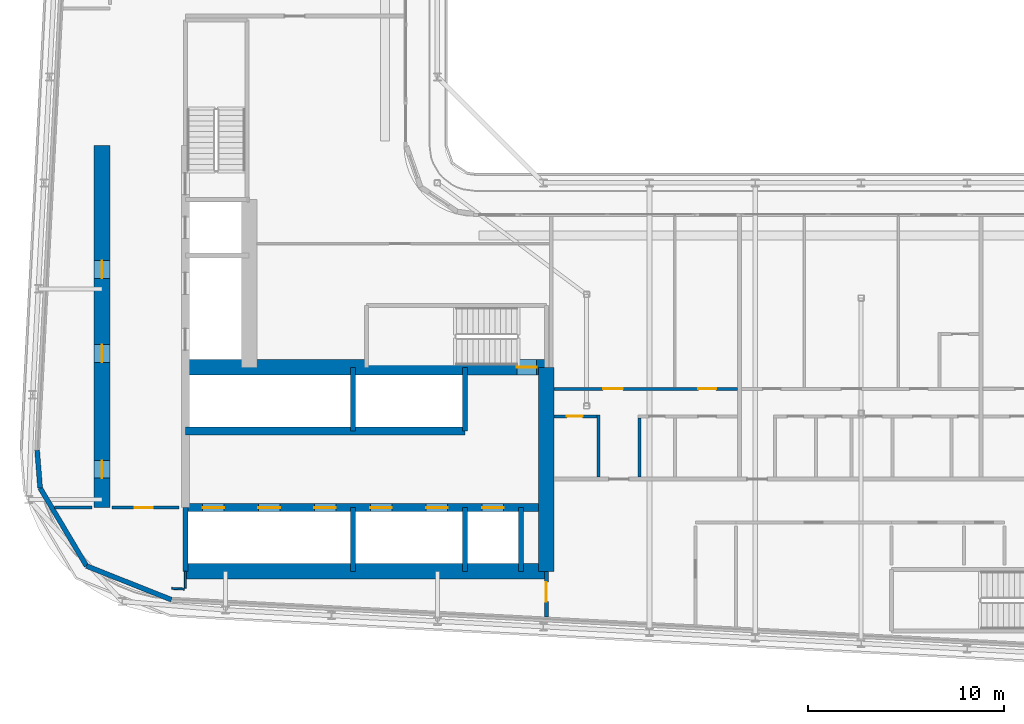
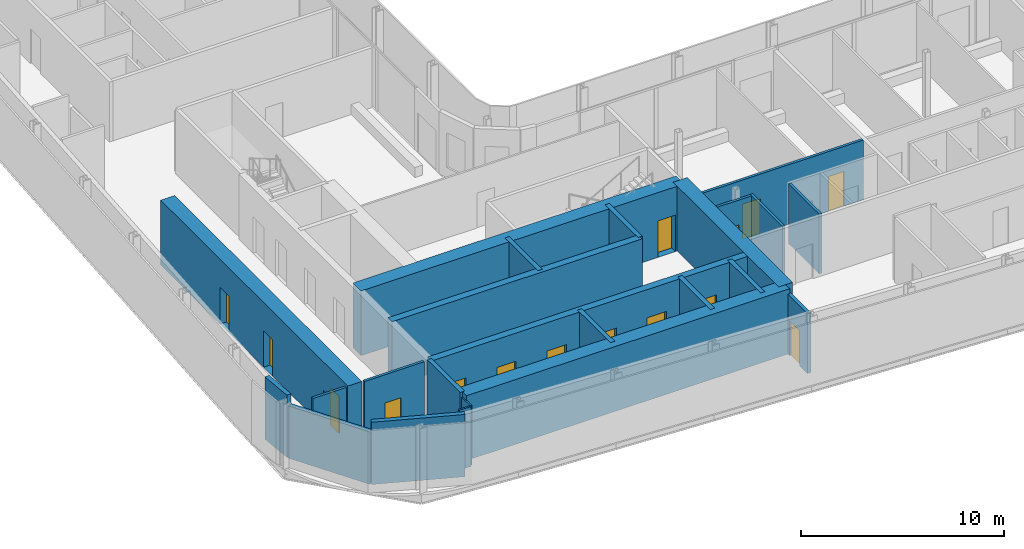
# One storey, part 14 of 29: 24 walls, 15 doors, 15 openings.
"""IFC4 building model written with IfcOpenShell, lengths in metres."""

from ifc_helpers import new_model, si_unit, direction, frame, frame_2d, origin, place, context, subcontext, project, spatial, rectangle, extrude, source, transform, mapped, material, layer, layer_set, type_object, element, fill, save


model = new_model("IFC4")

# Units and contexts
model_context = context("Model", 3, precision=1e-05, world=origin(), true_north=direction((0.0, 1.0)))
body_context = subcontext(model_context, "Body", "Model", "MODEL_VIEW")
ifc_project = project(units=[si_unit("LENGTHUNIT", "METRE"), si_unit("AREAUNIT", "SQUARE_METRE"), si_unit("VOLUMEUNIT", "CUBIC_METRE"), si_unit("PLANEANGLEUNIT", "RADIAN"), si_unit("MASSUNIT", "GRAM", prefix="KILO")], contexts=[model_context])

# Site, building, storey
site_placement = place(None, origin())
site = spatial("IfcSite", under=ifc_project, at=site_placement, CompositionType="ELEMENT")
building_placement = place(site_placement, origin())
building = spatial("IfcBuilding", under=site, at=building_placement, Name="Kheshtan School and Residences Tower", CompositionType="ELEMENT")
storey_placement = place(building_placement, frame((0.0, 0.0, 168.199951171875)))
storey = spatial("IfcBuildingStorey", under=building, at=storey_placement, Name="L39", CompositionType="ELEMENT", Elevation=168.199951171875)

# Wall, openings, doors
ifc_material_1 = material(Name="Concrete C50/60", Category="concrete")
ifc_layer_1 = layer(ifc_material_1, 0.39990234375)
ifc_layer_set_1 = layer_set([ifc_layer_1], Name="Core wall 400 Concrete C50/60")
wall_type_1 = type_object("IfcWallType", Name="Core wall 400 Concrete C50/60", PredefinedType="SHEAR", material=ifc_layer_set_1)
wall_1_placement = place(storey_placement, frame((34.75, 29.050048828125, 0.0), z_axis=(0.0, 0.0, 1.0), x_axis=(1.0, 0.0, 0.0)))
wall_1 = element("IfcWall", 1, at=wall_1_placement, inside=storey, type_object=wall_type_1, Name="Core wall CW-HALL-S1", PredefinedType="SHEAR", context=body_context, shape_type="SweptSolid", body=[
    extrude(rectangle(XDim=18.39990234375, YDim=0.39990234375, at=frame_2d((9.199951171875, 0.0))), origin(), (0.0, 0.0, 1.0), 3.900146484375),
])
opening_1_placement = place(wall_1_placement, frame((0.875, 0.0, 0.0)))
opening_1 = element("IfcOpeningElement", 2, at=opening_1_placement, cuts=wall_1, Name="Opening LD", PredefinedType="OPENING", context=body_context, shape_type="SweptSolid", body=[
    extrude(rectangle(XDim=1.10009765625, YDim=2.199951171875, at=frame_2d((0.550048828125, 1.10009765625))), frame((0.0, 0.2099609375, 0.0), z_axis=(0.0, -1.0, 0.0), x_axis=(1.0, 0.0, 0.0)), (0.0, 0.0, 1.0), 0.419921875),
])
opening_2_placement = place(wall_1_placement, frame((3.72509765625, 0.0, 0.0)))
opening_2 = element("IfcOpeningElement", 3, at=opening_2_placement, cuts=wall_1, Name="Opening LD", PredefinedType="OPENING", context=body_context, shape_type="SweptSolid", body=[
    extrude(rectangle(XDim=1.10009765625, YDim=2.199951171875, at=frame_2d((0.550048828125, 1.10009765625))), frame((0.0, 0.2099609375, 0.0), z_axis=(0.0, -1.0, 0.0), x_axis=(1.0, 0.0, 0.0)), (0.0, 0.0, 1.0), 0.419921875),
])
opening_3_placement = place(wall_1_placement, frame((6.574951171875, 0.0, 0.0)))
opening_3 = element("IfcOpeningElement", 4, at=opening_3_placement, cuts=wall_1, Name="Opening LD", PredefinedType="OPENING", context=body_context, shape_type="SweptSolid", body=[
    extrude(rectangle(XDim=1.10009765625, YDim=2.199951171875, at=frame_2d((0.550048828125, 1.10009765625))), frame((0.0, 0.2099609375, 0.0), z_axis=(0.0, -1.0, 0.0), x_axis=(1.0, 0.0, 0.0)), (0.0, 0.0, 1.0), 0.419921875),
])
opening_4_placement = place(wall_1_placement, frame((9.425048828125, 0.0, 0.0)))
opening_4 = element("IfcOpeningElement", 5, at=opening_4_placement, cuts=wall_1, Name="Opening LD", PredefinedType="OPENING", context=body_context, shape_type="SweptSolid", body=[
    extrude(rectangle(XDim=1.10009765625, YDim=2.199951171875, at=frame_2d((0.550048828125, 1.10009765625))), frame((0.0, 0.2099609375, 0.0), z_axis=(0.0, -1.0, 0.0), x_axis=(1.0, 0.0, 0.0)), (0.0, 0.0, 1.0), 0.419921875),
])
opening_5_placement = place(wall_1_placement, frame((12.27490234375, 0.0, 0.0)))
opening_5 = element("IfcOpeningElement", 6, at=opening_5_placement, cuts=wall_1, Name="Opening LD", PredefinedType="OPENING", context=body_context, shape_type="SweptSolid", body=[
    extrude(rectangle(XDim=1.10009765625, YDim=2.199951171875, at=frame_2d((0.550048828125, 1.10009765625))), frame((0.0, 0.2099609375, 0.0), z_axis=(0.0, -1.0, 0.0), x_axis=(1.0, 0.0, 0.0)), (0.0, 0.0, 1.0), 0.419921875),
])
opening_6_placement = place(wall_1_placement, frame((15.125, 0.0, 0.0)))
opening_6 = element("IfcOpeningElement", 7, at=opening_6_placement, cuts=wall_1, Name="Opening LD", PredefinedType="OPENING", context=body_context, shape_type="SweptSolid", body=[
    extrude(rectangle(XDim=1.10009765625, YDim=2.199951171875, at=frame_2d((0.550048828125, 1.10009765625))), frame((0.0, 0.2099609375, 0.0), z_axis=(0.0, -1.0, 0.0), x_axis=(1.0, 0.0, 0.0)), (0.0, 0.0, 1.0), 0.419921875),
])
ifc_material_2 = material(Name="Stainless steel door leaves", Category="steel")
door_type_1 = type_object("IfcDoorType", Name="Lift landing door 1100", OperationType="SLIDING_TO_LEFT", PredefinedType="DOOR", material=ifc_material_2)
shared_shape_1 = source(origin(), body_context, "Body", "SweptSolid", [
    extrude(rectangle(XDim=1.10009765625, YDim=2.199951171875, at=frame_2d((0.550048828125, 1.10009765625))), frame((0.0, 0.02490234375, 0.0), z_axis=(0.0, -1.0, 0.0), x_axis=(1.0, 0.0, 0.0)), (0.0, 0.0, 1.0), 0.050048828125),
])
door_1_placement = place(opening_1_placement, origin())
door_1 = element("IfcDoor", 8, at=door_1_placement, inside=storey, type_object=door_type_1, Name="Lift P7 landing door", OperationType="SLIDING_TO_LEFT", OverallHeight=2.199951171875, OverallWidth=1.10009765625, PredefinedType="DOOR", context=body_context, shape_type="MappedRepresentation", body=[
    mapped(shared_shape_1, transform((0.0, 0.0, 0.0), x_axis=(1.0, 0.0, 0.0), y_axis=(0.0, 1.0, 0.0), z_axis=(0.0, 0.0, 1.0), scale=1.0)),
])
fill(opening_1, door_1)
door_2_placement = place(opening_2_placement, origin())
door_2 = element("IfcDoor", 9, at=door_2_placement, inside=storey, type_object=door_type_1, Name="Lift P8 landing door", OperationType="SLIDING_TO_LEFT", OverallHeight=2.199951171875, OverallWidth=1.10009765625, PredefinedType="DOOR", context=body_context, shape_type="MappedRepresentation", body=[
    mapped(shared_shape_1, transform((0.0, 0.0, 0.0), x_axis=(1.0, 0.0, 0.0), y_axis=(0.0, 1.0, 0.0), z_axis=(0.0, 0.0, 1.0), scale=1.0)),
])
fill(opening_2, door_2)
door_3_placement = place(opening_3_placement, origin())
door_3 = element("IfcDoor", 10, at=door_3_placement, inside=storey, type_object=door_type_1, Name="Lift P9 landing door", OperationType="SLIDING_TO_LEFT", OverallHeight=2.199951171875, OverallWidth=1.10009765625, PredefinedType="DOOR", context=body_context, shape_type="MappedRepresentation", body=[
    mapped(shared_shape_1, transform((0.0, 0.0, 0.0), x_axis=(1.0, 0.0, 0.0), y_axis=(0.0, 1.0, 0.0), z_axis=(0.0, 0.0, 1.0), scale=1.0)),
])
fill(opening_3, door_3)
door_4_placement = place(opening_4_placement, origin())
door_4 = element("IfcDoor", 11, at=door_4_placement, inside=storey, type_object=door_type_1, Name="Lift P10 landing door", OperationType="SLIDING_TO_LEFT", OverallHeight=2.199951171875, OverallWidth=1.10009765625, PredefinedType="DOOR", context=body_context, shape_type="MappedRepresentation", body=[
    mapped(shared_shape_1, transform((0.0, 0.0, 0.0), x_axis=(1.0, 0.0, 0.0), y_axis=(0.0, 1.0, 0.0), z_axis=(0.0, 0.0, 1.0), scale=1.0)),
])
fill(opening_4, door_4)
door_5_placement = place(opening_5_placement, origin())
door_5 = element("IfcDoor", 12, at=door_5_placement, inside=storey, type_object=door_type_1, Name="Lift P11 landing door", OperationType="SLIDING_TO_LEFT", OverallHeight=2.199951171875, OverallWidth=1.10009765625, PredefinedType="DOOR", context=body_context, shape_type="MappedRepresentation", body=[
    mapped(shared_shape_1, transform((0.0, 0.0, 0.0), x_axis=(1.0, 0.0, 0.0), y_axis=(0.0, 1.0, 0.0), z_axis=(0.0, 0.0, 1.0), scale=1.0)),
])
fill(opening_5, door_5)
door_6_placement = place(opening_6_placement, origin())
door_6 = element("IfcDoor", 13, at=door_6_placement, inside=storey, type_object=door_type_1, Name="Lift FFL2 landing door", OperationType="SLIDING_TO_LEFT", OverallHeight=2.199951171875, OverallWidth=1.10009765625, PredefinedType="DOOR", context=body_context, shape_type="MappedRepresentation", body=[
    mapped(shared_shape_1, transform((0.0, 0.0, 0.0), x_axis=(1.0, 0.0, 0.0), y_axis=(0.0, 1.0, 0.0), z_axis=(0.0, 0.0, 1.0), scale=1.0)),
])
fill(opening_6, door_6)

# Walls
wall_2_placement = place(storey_placement, frame((34.75, 32.949951171875, 0.0), z_axis=(0.0, 0.0, 1.0), x_axis=(1.0, 0.0, 0.0)))
element("IfcWall", 14, at=wall_2_placement, inside=storey, type_object=wall_type_1, Name="Core wall CW-HALL-S2", PredefinedType="SHEAR", context=body_context, shape_type="SweptSolid", body=[
    extrude(rectangle(XDim=14.25, YDim=0.39990234375, at=frame_2d((7.125, 0.0))), origin(), (0.0, 0.0, 1.0), 3.900146484375),
])
ifc_material_3 = material(Name="Concrete C70/85", Category="concrete")
ifc_layer_2 = layer(ifc_material_3, 0.800048828125)
ifc_layer_set_2 = layer_set([ifc_layer_2], Name="Core wall 800 Concrete C70/85")
wall_type_2 = type_object("IfcWallType", Name="Core wall 800 Concrete C70/85", PredefinedType="SHEAR", material=ifc_layer_set_2)
wall_3_placement = place(storey_placement, frame((34.75, 25.800048828125, 0.0), z_axis=(0.0, 0.0, 1.0), x_axis=(1.0, 0.0, 0.0)))
element("IfcWall", 15, at=wall_3_placement, inside=storey, type_object=wall_type_2, Name="Core wall CW-REAR-S", PredefinedType="SHEAR", context=body_context, shape_type="SweptSolid", body=[
    extrude(rectangle(XDim=18.39990234375, YDim=0.800048828125, at=frame_2d((9.199951171875, 0.0))), origin(), (0.0, 0.0, 1.0), 3.900146484375),
])

# Wall, opening, door
wall_4_placement = place(storey_placement, frame((34.75, 36.199951171875, 0.0), z_axis=(0.0, 0.0, 1.0), x_axis=(1.0, 0.0, 0.0)))
wall_4 = element("IfcWall", 16, at=wall_4_placement, inside=storey, type_object=wall_type_2, Name="Core wall CW-FRONT-S", PredefinedType="SHEAR", context=body_context, shape_type="SweptSolid", body=[
    extrude(rectangle(XDim=18.39990234375, YDim=0.800048828125, at=frame_2d((9.199951171875, 0.0))), origin(), (0.0, 0.0, 1.0), 3.900146484375),
])
opening_7_placement = place(wall_4_placement, frame((16.89990234375, 0.0, 0.0)))
opening_7 = element("IfcOpeningElement", 17, at=opening_7_placement, cuts=wall_4, Name="Opening ST1D", PredefinedType="OPENING", context=body_context, shape_type="SweptSolid", body=[
    extrude(rectangle(XDim=1.0, YDim=2.199951171875, at=frame_2d((0.5, 1.10009765625))), frame((0.0, 0.41015625, 0.0), z_axis=(0.0, -1.0, 0.0), x_axis=(1.0, 0.0, 0.0)), (0.0, 0.0, 1.0), 0.820068359375),
])
ifc_material_4 = material(Name="Steel door leaf, galvanised", Category="steel")
door_type_2 = type_object("IfcDoorType", Name="Stair door 1100 steel 90 min", OperationType="SINGLE_SWING_LEFT", PredefinedType="DOOR", material=ifc_material_4)
shared_shape_2 = source(origin(), body_context, "Body", "SweptSolid", [
    extrude(rectangle(XDim=1.0, YDim=2.199951171875, at=frame_2d((0.5, 1.10009765625))), frame((0.0, 0.02490234375, 0.0), z_axis=(0.0, -1.0, 0.0), x_axis=(1.0, 0.0, 0.0)), (0.0, 0.0, 1.0), 0.050048828125),
])
door_7_placement = place(opening_7_placement, origin())
door_7 = element("IfcDoor", 18, at=door_7_placement, inside=storey, type_object=door_type_2, Name="Stair ST1 door", OperationType="SINGLE_SWING_RIGHT", OverallHeight=2.199951171875, OverallWidth=1.0, PredefinedType="DOOR", context=body_context, shape_type="MappedRepresentation", body=[
    mapped(shared_shape_2, transform((0.0, 0.0, 0.0), x_axis=(1.0, 0.0, 0.0), y_axis=(0.0, 1.0, 0.0), z_axis=(0.0, 0.0, 1.0), scale=1.0)),
])
fill(opening_7, door_7)

# Wall, openings, doors
wall_5_placement = place(storey_placement, frame((30.5, 29.050048828125, 0.0), z_axis=(0.0, 0.0, 1.0), x_axis=(0.0, 1.0, 0.0)))
wall_5 = element("IfcWall", 19, at=wall_5_placement, inside=storey, type_object=wall_type_2, Name="Core wall CW-REAR-W", PredefinedType="SHEAR", context=body_context, shape_type="SweptSolid", body=[
    extrude(rectangle(XDim=18.449951171875, YDim=0.800048828125, at=frame_2d((9.22509765625, 0.0))), origin(), (0.0, 0.0, 1.0), 3.900146484375),
])
opening_8_placement = place(wall_5_placement, frame((1.5, 0.0, 0.0)))
opening_8 = element("IfcOpeningElement", 20, at=opening_8_placement, cuts=wall_5, Name="Opening SR90", PredefinedType="OPENING", context=body_context, shape_type="SweptSolid", body=[
    extrude(rectangle(XDim=0.89990234375, YDim=2.199951171875, at=frame_2d((0.449951171875, 1.10009765625))), frame((0.0, 0.41015625, 0.0), z_axis=(0.0, -1.0, 0.0), x_axis=(1.0, 0.0, 0.0)), (0.0, 0.0, 1.0), 0.820068359375),
])
opening_9_placement = place(wall_5_placement, frame((7.406005859375, 0.0, 0.0)))
opening_9 = element("IfcOpeningElement", 21, at=opening_9_placement, cuts=wall_5, Name="Opening SR90", PredefinedType="OPENING", context=body_context, shape_type="SweptSolid", body=[
    extrude(rectangle(XDim=0.89990234375, YDim=2.199951171875, at=frame_2d((0.449951171875, 1.10009765625))), frame((0.0, 0.41015625, 0.0), z_axis=(0.0, -1.0, 0.0), x_axis=(1.0, 0.0, 0.0)), (0.0, 0.0, 1.0), 0.820068359375),
])
opening_10_placement = place(wall_5_placement, frame((11.68798828125, 0.0, 0.0)))
opening_10 = element("IfcOpeningElement", 22, at=opening_10_placement, cuts=wall_5, Name="Opening SR90", PredefinedType="OPENING", context=body_context, shape_type="SweptSolid", body=[
    extrude(rectangle(XDim=0.89990234375, YDim=2.199951171875, at=frame_2d((0.449951171875, 1.10009765625))), frame((0.0, 0.41015625, 0.0), z_axis=(0.0, -1.0, 0.0), x_axis=(1.0, 0.0, 0.0)), (0.0, 0.0, 1.0), 0.820068359375),
])
door_type_3 = type_object("IfcDoorType", Name="Service room door 900 steel 90 min", OperationType="SINGLE_SWING_LEFT", PredefinedType="DOOR", material=ifc_material_4)
shared_shape_3 = source(origin(), body_context, "Body", "SweptSolid", [
    extrude(rectangle(XDim=0.89990234375, YDim=2.199951171875, at=frame_2d((0.449951171875, 1.10009765625))), frame((0.0, 0.02490234375, 0.0), z_axis=(0.0, -1.0, 0.0), x_axis=(1.0, 0.0, 0.0)), (0.0, 0.0, 1.0), 0.050048828125),
])
door_8_placement = place(opening_8_placement, origin())
door_8 = element("IfcDoor", 23, at=door_8_placement, inside=storey, type_object=door_type_3, Name="Service room door", OperationType="SINGLE_SWING_LEFT", OverallHeight=2.199951171875, OverallWidth=0.89990234375, PredefinedType="DOOR", context=body_context, shape_type="MappedRepresentation", body=[
    mapped(shared_shape_3, transform((0.0, 0.0, 0.0), x_axis=(1.0, 0.0, 0.0), y_axis=(0.0, 1.0, 0.0), z_axis=(0.0, 0.0, 1.0), scale=1.0)),
])
fill(opening_8, door_8)
door_9_placement = place(opening_9_placement, origin())
door_9 = element("IfcDoor", 24, at=door_9_placement, inside=storey, type_object=door_type_3, Name="Service room door", OperationType="SINGLE_SWING_RIGHT", OverallHeight=2.199951171875, OverallWidth=0.89990234375, PredefinedType="DOOR", context=body_context, shape_type="MappedRepresentation", body=[
    mapped(shared_shape_3, transform((0.0, 0.0, 0.0), x_axis=(1.0, 0.0, 0.0), y_axis=(0.0, 1.0, 0.0), z_axis=(0.0, 0.0, 1.0), scale=1.0)),
])
fill(opening_9, door_9)
door_10_placement = place(opening_10_placement, origin())
door_10 = element("IfcDoor", 25, at=door_10_placement, inside=storey, type_object=door_type_3, Name="Service room door", OperationType="SINGLE_SWING_LEFT", OverallHeight=2.199951171875, OverallWidth=0.89990234375, PredefinedType="DOOR", context=body_context, shape_type="MappedRepresentation", body=[
    mapped(shared_shape_3, transform((0.0, 0.0, 0.0), x_axis=(1.0, 0.0, 0.0), y_axis=(0.0, 1.0, 0.0), z_axis=(0.0, 0.0, 1.0), scale=1.0)),
])
fill(opening_10, door_10)

# Wall
wall_6_placement = place(storey_placement, frame((53.14990234375, 25.800048828125, 0.0), z_axis=(0.0, 0.0, 1.0), x_axis=(0.0, 1.0, 0.0)))
element("IfcWall", 26, at=wall_6_placement, inside=storey, type_object=wall_type_2, Name="Core wall CW-EAST", PredefinedType="SHEAR", context=body_context, shape_type="SweptSolid", body=[
    extrude(rectangle(XDim=10.39990234375, YDim=0.800048828125, at=frame_2d((5.199951171875, 0.0))), origin(), (0.0, 0.0, 1.0), 3.900146484375),
])

# Wall, opening, door
ifc_material_5 = material(Name="Gypsum board on steel studs with fire boards", Category="steel")
ifc_layer_3 = layer(ifc_material_5, 0.199951171875)
ifc_layer_set_3 = layer_set([ifc_layer_3], Name="Corridor wall 200")
wall_type_3 = type_object("IfcWallType", Name="Corridor wall 200", PredefinedType="PARTITIONING", material=ifc_layer_set_3)
wall_7_placement = place(storey_placement, frame((53.14990234375, 23.47216796875, 0.0), z_axis=(0.0, 0.0, 1.0), x_axis=(0.0, 1.0, 0.0)))
wall_7 = element("IfcWall", 27, at=wall_7_placement, inside=storey, type_object=wall_type_3, Name="Partition L39-035", PredefinedType="PARTITIONING", context=body_context, shape_type="SweptSolid", body=[
    extrude(rectangle(XDim=2.327880859375, YDim=0.199951171875, at=frame_2d((1.1640625, 0.0))), origin(), (0.0, 0.0, 1.0), 3.60009765625),
])
opening_11_placement = place(wall_7_placement, frame((0.783935546875, 0.0, 0.0)))
opening_11 = element("IfcOpeningElement", 28, at=opening_11_placement, cuts=wall_7, Name="Opening D39-050", PredefinedType="OPENING", context=body_context, shape_type="SweptSolid", body=[
    extrude(rectangle(XDim=1.0, YDim=2.10009765625, at=frame_2d((0.5, 1.050048828125))), frame((0.0, 0.10986328125, 0.0), z_axis=(0.0, -1.0, 0.0), x_axis=(1.0, 0.0, 0.0)), (0.0, 0.0, 1.0), 0.219970703125),
])
ifc_material_6 = material(Name="Steel-framed fire-resisting door leaf", Category="steel")
door_type_4 = type_object("IfcDoorType", Name="Fire door FD60 1000 x 2100", OperationType="SINGLE_SWING_LEFT", PredefinedType="DOOR", material=ifc_material_6)
shared_shape_4 = source(origin(), body_context, "Body", "SweptSolid", [
    extrude(rectangle(XDim=1.0, YDim=2.10009765625, at=frame_2d((0.5, 1.050048828125))), frame((0.0, 0.02490234375, 0.0), z_axis=(0.0, -1.0, 0.0), x_axis=(1.0, 0.0, 0.0)), (0.0, 0.0, 1.0), 0.050048828125),
])
door_11_placement = place(opening_11_placement, origin())
door_11 = element("IfcDoor", 29, at=door_11_placement, inside=storey, type_object=door_type_4, Name="Door D39-050", OperationType="SINGLE_SWING_RIGHT", OverallHeight=2.10009765625, OverallWidth=1.0, PredefinedType="DOOR", context=body_context, shape_type="MappedRepresentation", body=[
    mapped(shared_shape_4, transform((0.0, 0.0, 0.0), x_axis=(1.0, 0.0, 0.0), y_axis=(0.0, 1.0, 0.0), z_axis=(0.0, 0.0, 1.0), scale=1.0)),
])
fill(opening_11, door_11)

# Walls
ifc_material_7 = material(Name="Concrete C40/50 with ceramic cladding and mineral wool insulation", Category="concrete")
ifc_layer_4 = layer(ifc_material_7, 0.25)
ifc_layer_set_4 = layer_set([ifc_layer_4], Name="External wall 250 ceramic clad")
wall_type_4 = type_object("IfcWallType", Name="External wall 250 ceramic clad", PredefinedType="SOLIDWALL", material=ifc_layer_set_4)
wall_8_placement = place(storey_placement, frame((34.0390625, 24.35302734375, 0.0), z_axis=(0.0, 0.0, 1.0), x_axis=(-0.929352825399, 0.369192803184, 0.0)))
element("IfcWall", 30, at=wall_8_placement, inside=storey, type_object=wall_type_4, Name="External wall L39 1", PredefinedType="SOLIDWALL", context=body_context, shape_type="SweptSolid", body=[
    extrude(rectangle(XDim=4.656005859375, YDim=0.25, at=frame_2d((2.328125, 0.0))), origin(), (0.0, 0.0, 1.0), 3.75),
])
wall_9_placement = place(storey_placement, frame((29.7119140625, 26.072021484375, 0.0), z_axis=(0.0, 0.0, 1.0), x_axis=(-0.511028049012, 0.859564036662, 0.0)))
element("IfcWall", 31, at=wall_9_placement, inside=storey, type_object=wall_type_4, Name="External wall L39 2", PredefinedType="SOLIDWALL", context=body_context, shape_type="SweptSolid", body=[
    extrude(rectangle(XDim=4.633544921875, YDim=0.25, at=frame_2d((2.31689453125, 0.0))), origin(), (0.0, 0.0, 1.0), 3.14697265625),
])
wall_10_placement = place(storey_placement, frame((27.343994140625, 30.054931640625, 0.0), z_axis=(0.0, 0.0, 1.0), x_axis=(-0.077571675317, 0.99698677784, 0.0)))
element("IfcWall", 32, at=wall_10_placement, inside=storey, type_object=wall_type_4, Name="External wall L39 3", PredefinedType="SOLIDWALL", context=body_context, shape_type="SweptSolid", body=[
    extrude(rectangle(XDim=1.919921875, YDim=0.25, at=frame_2d((0.9599609375, 0.0))), origin(), (0.0, 0.0, 1.0), 3.75),
])
ifc_material_8 = material(Name="Gypsum board on steel studs", Category="steel")
ifc_layer_5 = layer(ifc_material_8, 0.10009765625)
ifc_layer_set_5 = layer_set([ifc_layer_5], Name="Gypsum partition 100")
wall_type_5 = type_object("IfcWallType", Name="Gypsum partition 100", PredefinedType="PARTITIONING", material=ifc_layer_set_5)
wall_11_placement = place(storey_placement, frame((34.06298828125, 24.928955078125, 0.0), z_axis=(0.0, 0.0, 1.0), x_axis=(0.998663963404, -0.051674831376, 0.0)))
element("IfcWall", 33, at=wall_11_placement, inside=storey, type_object=wall_type_5, Name="Partition L39-016", PredefinedType="PARTITIONING", context=body_context, shape_type="SweptSolid", body=[
    extrude(rectangle(XDim=0.6376953125, YDim=0.10009765625, at=frame_2d((0.31884765625, 0.0))), origin(), (0.0, 0.0, 1.0), 3.60009765625),
])
wall_12_placement = place(storey_placement, frame((34.75, 24.94189453125, 0.0), z_axis=(0.0, 0.0, 1.0), x_axis=(0.0, 1.0, 0.0)))
element("IfcWall", 34, at=wall_12_placement, inside=storey, type_object=wall_type_5, Name="Partition L39-017", PredefinedType="PARTITIONING", context=body_context, shape_type="SweptSolid", body=[
    extrude(rectangle(XDim=0.858154296875, YDim=0.10009765625, at=frame_2d((0.42919921875, 0.0))), origin(), (0.0, 0.0, 1.0), 3.60009765625),
])
ifc_material_9 = material(Name="Fire-board shaft wall system")
ifc_layer_6 = layer(ifc_material_9, 0.14990234375)
ifc_layer_set_6 = layer_set([ifc_layer_6], Name="Service room wall 150")
wall_type_6 = type_object("IfcWallType", Name="Service room wall 150", PredefinedType="PARTITIONING", material=ifc_layer_set_6)
wall_13_placement = place(storey_placement, frame((28.089111328125, 29.050048828125, 0.0), z_axis=(0.0, 0.0, 1.0), x_axis=(1.0, 0.0, 0.0)))
element("IfcWall", 35, at=wall_13_placement, inside=storey, type_object=wall_type_6, Name="Service room wall", PredefinedType="PARTITIONING", context=body_context, shape_type="SweptSolid", body=[
    extrude(rectangle(XDim=1.890869140625, YDim=0.14990234375, at=frame_2d((0.9453125, 0.0))), origin(), (0.0, 0.0, 1.0), 3.900146484375),
])

# Wall, opening, door
wall_14_placement = place(storey_placement, frame((31.02001953125, 29.050048828125, 0.0), z_axis=(0.0, 0.0, 1.0), x_axis=(1.0, 0.0, 0.0)))
wall_14 = element("IfcWall", 36, at=wall_14_placement, inside=storey, type_object=wall_type_6, Name="Service room wall", PredefinedType="PARTITIONING", context=body_context, shape_type="SweptSolid", body=[
    extrude(rectangle(XDim=3.409912109375, YDim=0.14990234375, at=frame_2d((1.705078125, 0.0))), origin(), (0.0, 0.0, 1.0), 3.900146484375),
])
opening_12_placement = place(wall_14_placement, frame((1.155029296875, 0.0, 0.0)))
opening_12 = element("IfcOpeningElement", 37, at=opening_12_placement, cuts=wall_14, Name="Opening SR90", PredefinedType="OPENING", context=body_context, shape_type="SweptSolid", body=[
    extrude(rectangle(XDim=0.89990234375, YDim=2.199951171875, at=frame_2d((0.449951171875, 1.10009765625))), frame((0.0, 0.0849609375, 0.0), z_axis=(0.0, -1.0, 0.0), x_axis=(1.0, 0.0, 0.0)), (0.0, 0.0, 1.0), 0.169921875),
])
door_12_placement = place(opening_12_placement, origin())
door_12 = element("IfcDoor", 38, at=door_12_placement, inside=storey, type_object=door_type_3, Name="Service room door", OperationType="SINGLE_SWING_LEFT", OverallHeight=2.199951171875, OverallWidth=0.89990234375, PredefinedType="DOOR", context=body_context, shape_type="MappedRepresentation", body=[
    mapped(shared_shape_3, transform((0.0, 0.0, 0.0), x_axis=(1.0, 0.0, 0.0), y_axis=(0.0, 1.0, 0.0), z_axis=(0.0, 0.0, 1.0), scale=1.0)),
])
fill(opening_12, door_12)

# Walls
ifc_layer_7 = layer(ifc_material_9, 0.25)
ifc_layer_set_7 = layer_set([ifc_layer_7], Name="Shaft lining wall 250")
wall_type_7 = type_object("IfcWallType", Name="Shaft lining wall 250", PredefinedType="PARTITIONING", material=ifc_layer_set_7)
for number, where, z_axis, x_axis, name in (
    (39, (34.75, 25.800048828125, 0.0), (0.0, 0.0, 1.0), (0.0, 1.0, 0.0), "Shaft lining wall"),
    (40, (43.300048828125, 25.800048828125, 0.0), (0.0, 0.0, 1.0), (0.0, 1.0, 0.0), "Shaft lining wall"),
    (41, (43.300048828125, 32.949951171875, 0.0), (0.0, 0.0, 1.0), (0.0, 1.0, 0.0), "Shaft lining wall"),
    (42, (49.0, 25.800048828125, 0.0), (0.0, 0.0, 1.0), (0.0, 1.0, 0.0), "Shaft lining wall"),
    (43, (49.0, 32.949951171875, 0.0), (0.0, 0.0, 1.0), (0.0, 1.0, 0.0), "Shaft lining wall"),
    (44, (51.85009765625, 25.800048828125, 0.0), (0.0, 0.0, 1.0), (0.0, 1.0, 0.0), "Shaft lining wall"),
):
    element("IfcWall", number, at=place(storey_placement, frame(where, z_axis=z_axis, x_axis=x_axis)), inside=storey, type_object=wall_type_7, Name=name, PredefinedType="PARTITIONING", context=body_context, shape_type="SweptSolid", body=[
        extrude(rectangle(XDim=3.25, YDim=0.25, at=frame_2d((1.625, 0.0))), origin(), (0.0, 0.0, 1.0), 3.900146484375),
    ])

# Wall, opening, door
ifc_material_10 = material(Name="Moisture-resistant gypsum board on steel studs", Category="steel")
ifc_layer_8 = layer(ifc_material_10, 0.14990234375)
ifc_layer_set_8 = layer_set([ifc_layer_8], Name="Wet-room partition 150")
wall_type_8 = type_object("IfcWallType", Name="Wet-room partition 150", PredefinedType="PARTITIONING", material=ifc_layer_set_8)
wall_15_placement = place(storey_placement, frame((53.549072265625, 33.699951171875, 0.0), z_axis=(0.0, 0.0, 1.0), x_axis=(1.0, 0.0, 0.0)))
wall_15 = element("IfcWall", 45, at=wall_15_placement, inside=storey, type_object=wall_type_8, Name="Partition L39-038", PredefinedType="PARTITIONING", context=body_context, shape_type="SweptSolid", body=[
    extrude(rectangle(XDim=2.176025390625, YDim=0.14990234375, at=frame_2d((1.087890625, 0.0))), origin(), (0.0, 0.0, 1.0), 3.60009765625),
])
opening_13_placement = place(wall_15_placement, frame((0.65087890625, 0.0, 0.0)))
opening_13 = element("IfcOpeningElement", 46, at=opening_13_placement, cuts=wall_15, Name="Opening D39-001", PredefinedType="OPENING", context=body_context, shape_type="SweptSolid", body=[
    extrude(rectangle(XDim=0.800048828125, YDim=2.10009765625, at=frame_2d((0.39990234375, 1.050048828125))), frame((0.0, 0.0849609375, 0.0), z_axis=(0.0, -1.0, 0.0), x_axis=(1.0, 0.0, 0.0)), (0.0, 0.0, 1.0), 0.169921875),
])
ifc_material_11 = material(Name="Veneered timber door leaf", Category="wood")
door_type_5 = type_object("IfcDoorType", Name="Door 800 x 2100", OperationType="SINGLE_SWING_LEFT", PredefinedType="DOOR", material=ifc_material_11)
shared_shape_5 = source(origin(), body_context, "Body", "SweptSolid", [
    extrude(rectangle(XDim=0.800048828125, YDim=2.10009765625, at=frame_2d((0.39990234375, 1.050048828125))), frame((0.0, 0.02490234375, 0.0), z_axis=(0.0, -1.0, 0.0), x_axis=(1.0, 0.0, 0.0)), (0.0, 0.0, 1.0), 0.050048828125),
])
door_13_placement = place(opening_13_placement, origin())
door_13 = element("IfcDoor", 47, at=door_13_placement, inside=storey, type_object=door_type_5, Name="Door D39-001", OperationType="SINGLE_SWING_RIGHT", OverallHeight=2.10009765625, OverallWidth=0.800048828125, PredefinedType="DOOR", context=body_context, shape_type="MappedRepresentation", body=[
    mapped(shared_shape_5, transform((0.0, 0.0, 0.0), x_axis=(1.0, 0.0, 0.0), y_axis=(0.0, 1.0, 0.0), z_axis=(0.0, 0.0, 1.0), scale=1.0)),
])
fill(opening_13, door_13)

# Wall, openings, doors
wall_16_placement = place(storey_placement, frame((53.549072265625, 35.10009765625, 0.0), z_axis=(0.0, 0.0, 1.0), x_axis=(1.0, 0.0, 0.0)))
wall_16 = element("IfcWall", 48, at=wall_16_placement, inside=storey, type_object=wall_type_8, Name="Partition L39-039", PredefinedType="PARTITIONING", context=body_context, shape_type="SweptSolid", body=[
    extrude(rectangle(XDim=9.350830078125, YDim=0.14990234375, at=frame_2d((4.67529296875, 0.0))), origin(), (0.0, 0.0, 1.0), 3.60009765625),
])
opening_14_placement = place(wall_16_placement, frame((7.35107421875, 0.0, 0.0)))
opening_14 = element("IfcOpeningElement", 49, at=opening_14_placement, cuts=wall_16, Name="Opening D39-002", PredefinedType="OPENING", context=body_context, shape_type="SweptSolid", body=[
    extrude(rectangle(XDim=0.89990234375, YDim=2.10009765625, at=frame_2d((0.449951171875, 1.050048828125))), frame((0.0, 0.0849609375, 0.0), z_axis=(0.0, -1.0, 0.0), x_axis=(1.0, 0.0, 0.0)), (0.0, 0.0, 1.0), 0.169921875),
])
opening_15_placement = place(wall_16_placement, frame((2.5009765625, 0.0, 0.0)))
opening_15 = element("IfcOpeningElement", 50, at=opening_15_placement, cuts=wall_16, Name="Opening D39-005", PredefinedType="OPENING", context=body_context, shape_type="SweptSolid", body=[
    extrude(rectangle(XDim=1.0, YDim=2.10009765625, at=frame_2d((0.5, 1.050048828125))), frame((0.0, 0.0849609375, 0.0), z_axis=(0.0, -1.0, 0.0), x_axis=(1.0, 0.0, 0.0)), (0.0, 0.0, 1.0), 0.169921875),
])
door_type_6 = type_object("IfcDoorType", Name="Door 1000 x 2100", OperationType="SINGLE_SWING_LEFT", PredefinedType="DOOR", material=ifc_material_11)
shared_shape_6 = source(origin(), body_context, "Body", "SweptSolid", [
    extrude(rectangle(XDim=1.0, YDim=2.10009765625, at=frame_2d((0.5, 1.050048828125))), frame((0.0, 0.02490234375, 0.0), z_axis=(0.0, -1.0, 0.0), x_axis=(1.0, 0.0, 0.0)), (0.0, 0.0, 1.0), 0.050048828125),
])
door_14_placement = place(opening_15_placement, origin())
door_14 = element("IfcDoor", 51, at=door_14_placement, inside=storey, type_object=door_type_6, Name="Door D39-005", OperationType="SINGLE_SWING_RIGHT", OverallHeight=2.10009765625, OverallWidth=1.0, PredefinedType="DOOR", context=body_context, shape_type="MappedRepresentation", body=[
    mapped(shared_shape_6, transform((0.0, 0.0, 0.0), x_axis=(1.0, 0.0, 0.0), y_axis=(0.0, 1.0, 0.0), z_axis=(0.0, 0.0, 1.0), scale=1.0)),
])
fill(opening_15, door_14)
door_type_7 = type_object("IfcDoorType", Name="Door 900 x 2100", OperationType="SINGLE_SWING_LEFT", PredefinedType="DOOR", material=ifc_material_11)
shared_shape_7 = source(origin(), body_context, "Body", "SweptSolid", [
    extrude(rectangle(XDim=0.89990234375, YDim=2.10009765625, at=frame_2d((0.449951171875, 1.050048828125))), frame((0.0, 0.02490234375, 0.0), z_axis=(0.0, -1.0, 0.0), x_axis=(1.0, 0.0, 0.0)), (0.0, 0.0, 1.0), 0.050048828125),
])
door_15_placement = place(opening_14_placement, origin())
door_15 = element("IfcDoor", 52, at=door_15_placement, inside=storey, type_object=door_type_7, Name="Door D39-002", OperationType="SINGLE_SWING_LEFT", OverallHeight=2.10009765625, OverallWidth=0.89990234375, PredefinedType="DOOR", context=body_context, shape_type="MappedRepresentation", body=[
    mapped(shared_shape_7, transform((0.0, 0.0, 0.0), x_axis=(1.0, 0.0, 0.0), y_axis=(0.0, 1.0, 0.0), z_axis=(0.0, 0.0, 1.0), scale=1.0)),
])
fill(opening_14, door_15)

# Walls
wall_17_placement = place(storey_placement, frame((55.800048828125, 30.60009765625, 0.0), z_axis=(0.0, 0.0, 1.0), x_axis=(0.0, 1.0, 0.0)))
element("IfcWall", 53, at=wall_17_placement, inside=storey, type_object=wall_type_8, Name="Partition L39-040", PredefinedType="PARTITIONING", context=body_context, shape_type="SweptSolid", body=[
    extrude(rectangle(XDim=3.1748046875, YDim=0.14990234375, at=frame_2d((1.58740234375, 0.0))), origin(), (0.0, 0.0, 1.0), 3.60009765625),
])
wall_18_placement = place(storey_placement, frame((57.89990234375, 30.60009765625, 0.0), z_axis=(0.0, 0.0, 1.0), x_axis=(0.0, 1.0, 0.0)))
element("IfcWall", 54, at=wall_18_placement, inside=storey, type_object=wall_type_8, Name="Partition L39-042", PredefinedType="PARTITIONING", context=body_context, shape_type="SweptSolid", body=[
    extrude(rectangle(XDim=3.02490234375, YDim=0.14990234375, at=frame_2d((1.512451171875, 0.0))), origin(), (0.0, 0.0, 1.0), 3.60009765625),
])

save(model, "model.ifc")
